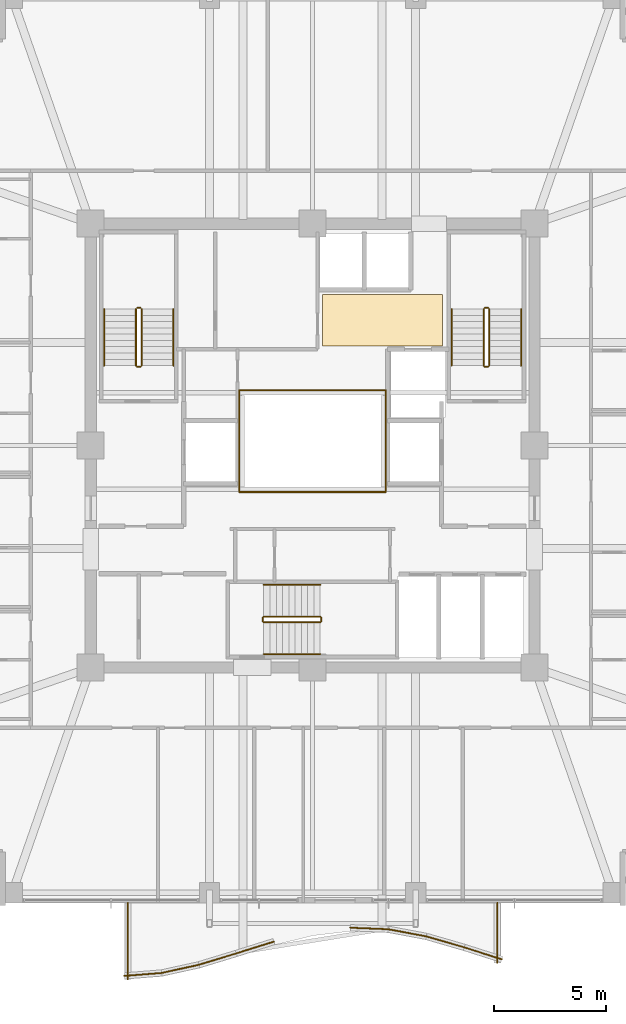
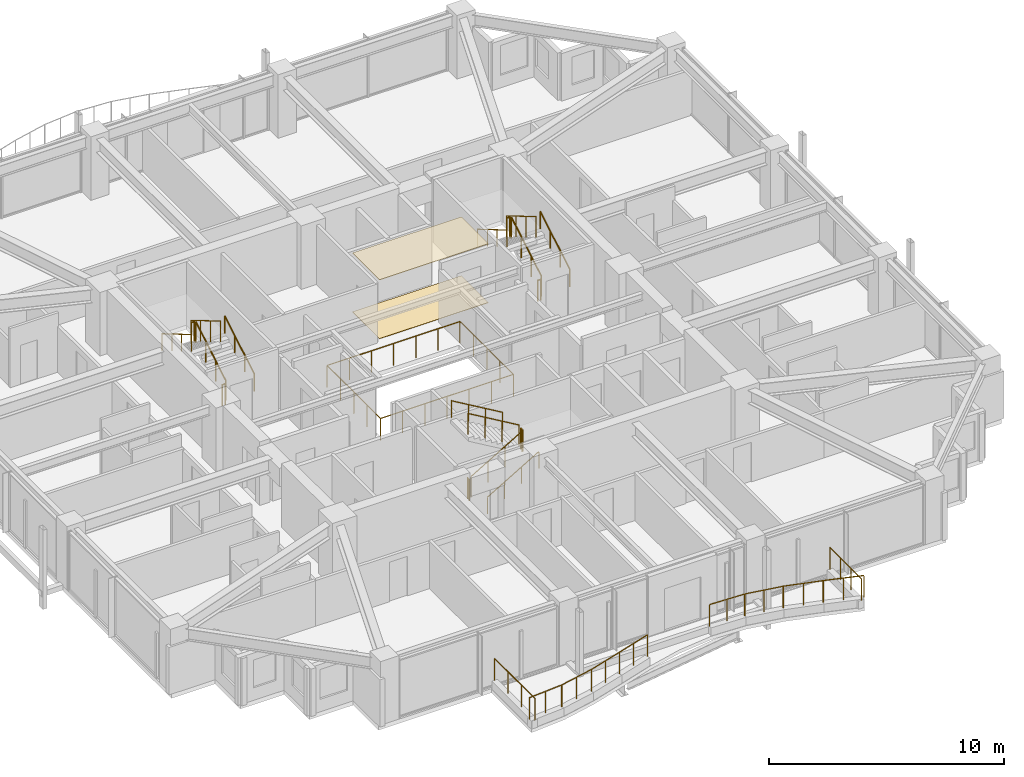
# One storey, part 36 of 37: 32 railings, 2 coverings.
"""IFC4 building model written with IfcOpenShell, lengths in metres."""

from ifc_helpers import new_model, si_unit, direction, frame, origin, origin_2d, place, context, subcontext, project, spatial, polyline, circle, outline, extrude, material, layer, layer_set, type_object, element, save


model = new_model("IFC4")

# Units and contexts
model_context = context("Model", 3, precision=1e-05, world=origin(), true_north=direction((0.0, 1.0)))
body_context = subcontext(model_context, "Body", "Model", "MODEL_VIEW")
ifc_project = project(units=[si_unit("LENGTHUNIT", "METRE"), si_unit("AREAUNIT", "SQUARE_METRE"), si_unit("VOLUMEUNIT", "CUBIC_METRE"), si_unit("PLANEANGLEUNIT", "RADIAN"), si_unit("MASSUNIT", "GRAM", prefix="KILO")], contexts=[model_context])

# Site, building, storey
site_placement = place(None, origin())
site = spatial("IfcSite", under=ifc_project, at=site_placement, CompositionType="ELEMENT")
building_placement = place(site_placement, origin())
building = spatial("IfcBuilding", under=site, at=building_placement, Name="Kolvaren Belvedere", CompositionType="ELEMENT")
storey_placement = place(building_placement, frame((0.0, 0.0, 173.39990234375)))
storey = spatial("IfcBuildingStorey", under=building, at=storey_placement, Name="L50", CompositionType="ELEMENT", Elevation=173.39990234375)

# Coverings
ifc_material_1 = material(Name="Acoustic perforated gypsum board", Category="gypsum")
ifc_layer_1 = layer(ifc_material_1, 0.02490234375)
ifc_layer_set_1 = layer_set([ifc_layer_1], Name="Acoustic perforated gypsum board")
covering_type_1 = type_object("IfcCoveringType", Name="COV-CEIL-GYP", PredefinedType="CEILING", material=ifc_layer_set_1)
covering_1_placement = place(storey_placement, frame((0.0, 0.0, 3.05517578125)))
element("IfcCovering", 1, at=covering_1_placement, inside=storey, type_object=covering_type_1, Name="L50 Lift Lobby Acoustic Baffle Ceiling", PredefinedType="CEILING", context=body_context, shape_type="SweptSolid", body=[
    extrude(outline(polyline([(0.449951171875, 4.449951171875), (5.800048828125, 4.449951171875), (5.800048828125, 6.75), (0.449951171875, 6.75), (0.449951171875, 4.449951171875)])), origin(), (0.0, 0.0, 1.0), 0.02490234375),
])
ifc_material_2 = material(Name="Engineered Pacific white oak", Category="timber")
ifc_layer_2 = layer(ifc_material_2, 0.02001953125)
ifc_layer_set_2 = layer_set([ifc_layer_2], Name="Engineered Pacific white oak")
covering_type_2 = type_object("IfcCoveringType", Name="COV-FLR-OAK", PredefinedType="FLOORING", material=ifc_layer_set_2)
covering_2_placement = place(storey_placement, origin())
element("IfcCovering", 2, at=covering_2_placement, inside=storey, type_object=covering_type_2, Name="L50 Lift Lobby Finish Flooring", PredefinedType="FLOORING", context=body_context, shape_type="SweptSolid", body=[
    extrude(outline(polyline([(0.449951171875, 4.449951171875), (5.800048828125, 4.449951171875), (5.800048828125, 6.75), (0.449951171875, 6.75), (0.449951171875, 4.449951171875)])), origin(), (0.0, 0.0, 1.0), 0.02001953125),
])

# Railings
ifc_material_3 = material(Name="Laminated glass & stainless-steel cap rail", Category="steel")
railing_type_1 = type_object("IfcRailingType", Name="RL-ATR-1150", PredefinedType="BALUSTRADE", material=ifc_material_3)
for number, where, name in (
    (3, (-3.27001953125, 2.469970703125, 0.0), "L50 Atrium North Glass Balustrade"),
    (4, (-3.27001953125, -2.070068359375, 0.0), "L50 Atrium South Glass Balustrade"),
):
    element("IfcRailing", number, at=place(storey_placement, frame(where)), inside=storey, type_object=railing_type_1, Name=name, PredefinedType="BALUSTRADE", context=body_context, shape_type="SweptSolid", body=[
        extrude(circle(Radius=0.02392578125, at=origin_2d()), frame((0.0, 0.0, 1.1259765625), z_axis=(1.0, 0.0, 0.0), x_axis=(0.0, 1.0, 0.0)), (0.0, 0.0, 1.0), 6.5400390625),
        extrude(circle(Radius=0.02099609375, at=origin_2d()), origin(), (0.0, 0.0, 1.0), 1.101806640625),
        extrude(circle(Radius=0.02099609375, at=origin_2d()), frame((1.090087890625, 0.0, 0.0)), (0.0, 0.0, 1.0), 1.101806640625),
        extrude(circle(Radius=0.02099609375, at=origin_2d()), frame((2.179931640625, 0.0, 0.0)), (0.0, 0.0, 1.0), 1.101806640625),
        extrude(circle(Radius=0.02099609375, at=origin_2d()), frame((3.27001953125, 0.0, 0.0)), (0.0, 0.0, 1.0), 1.101806640625),
        extrude(circle(Radius=0.02099609375, at=origin_2d()), frame((4.360107421875, 0.0, 0.0)), (0.0, 0.0, 1.0), 1.101806640625),
        extrude(circle(Radius=0.02099609375, at=origin_2d()), frame((5.449951171875, 0.0, 0.0)), (0.0, 0.0, 1.0), 1.101806640625),
        extrude(circle(Radius=0.02099609375, at=origin_2d()), frame((6.5400390625, 0.0, 0.0)), (0.0, 0.0, 1.0), 1.101806640625),
    ])
for number, where, name in (
    (5, (-3.27001953125, -2.070068359375, 0.0), "L50 Atrium West Glass Balustrade"),
    (6, (3.27001953125, -2.070068359375, 0.0), "L50 Atrium East Glass Balustrade"),
):
    element("IfcRailing", number, at=place(storey_placement, frame(where)), inside=storey, type_object=railing_type_1, Name=name, PredefinedType="BALUSTRADE", context=body_context, shape_type="SweptSolid", body=[
        extrude(circle(Radius=0.02392578125, at=origin_2d()), frame((0.0, 0.0, 1.1259765625), z_axis=(0.0, 1.0, 0.0), x_axis=(-1.0, 0.0, 0.0)), (0.0, 0.0, 1.0), 4.5400390625),
        extrude(circle(Radius=0.02099609375, at=origin_2d()), origin(), (0.0, 0.0, 1.0), 1.101806640625),
        extrude(circle(Radius=0.02099609375, at=origin_2d()), frame((0.0, 1.135009765625, 0.0)), (0.0, 0.0, 1.0), 1.101806640625),
        extrude(circle(Radius=0.02099609375, at=origin_2d()), frame((0.0, 2.27001953125, 0.0)), (0.0, 0.0, 1.0), 1.101806640625),
        extrude(circle(Radius=0.02099609375, at=origin_2d()), frame((0.0, 3.405029296875, 0.0)), (0.0, 0.0, 1.0), 1.101806640625),
        extrude(circle(Radius=0.02099609375, at=origin_2d()), frame((0.0, 4.5400390625, 0.0)), (0.0, 0.0, 1.0), 1.101806640625),
    ])
ifc_material_4 = material(Name="Anodised pale-metal aluminium & laminated glass guard", Category="aluminium")
railing_type_2 = type_object("IfcRailingType", Name="RL-GUARD-1150", PredefinedType="GUARDRAIL", material=ifc_material_4)
railing_1_placement = place(storey_placement, frame((-8.41259765625, -23.660400390625, 0.380126953125)))
element("IfcRailing", 7, at=railing_1_placement, inside=storey, type_object=railing_type_2, Name="L50 Exterior Deck Safety Guard BAL-S-1", PredefinedType="GUARDRAIL", context=body_context, shape_type="SweptSolid", body=[
    extrude(circle(Radius=0.02392578125, at=origin_2d()), frame((0.0, 0.0, 1.1259765625), z_axis=(0.99685522818, 0.079244268248, 0.0), x_axis=(-0.079244268248, 0.99685522818, 0.0)), (0.0, 0.0, 1.0), 1.685302734375),
    extrude(circle(Radius=0.02099609375, at=origin_2d()), origin(), (0.0, 0.0, 1.0), 1.101806640625),
    extrude(circle(Radius=0.02099609375, at=origin_2d()), frame((0.83984375, 0.06689453125, 0.0)), (0.0, 0.0, 1.0), 1.101806640625),
    extrude(circle(Radius=0.02099609375, at=origin_2d()), frame((1.679931640625, 0.133544921875, 0.0)), (0.0, 0.0, 1.0), 1.101806640625),
])
railing_2_placement = place(storey_placement, frame((-6.754150390625, -23.530029296875, 0.380126953125)))
element("IfcRailing", 8, at=railing_2_placement, inside=storey, type_object=railing_type_2, Name="L50 Exterior Deck Safety Guard BAL-S-2", PredefinedType="GUARDRAIL", context=body_context, shape_type="SweptSolid", body=[
    extrude(circle(Radius=0.02392578125, at=origin_2d()), frame((0.0, 0.0, 1.1259765625), z_axis=(0.976876857632, 0.213802724545, 0.0), x_axis=(-0.213802724545, 0.976876857632, 0.0)), (0.0, 0.0, 1.0), 1.7197265625),
    extrude(circle(Radius=0.02099609375, at=origin_2d()), origin(), (0.0, 0.0, 1.0), 1.101806640625),
    extrude(circle(Radius=0.02099609375, at=origin_2d()), frame((0.83984375, 0.183837890625, 0.0)), (0.0, 0.0, 1.0), 1.101806640625),
    extrude(circle(Radius=0.02099609375, at=origin_2d()), frame((1.679931640625, 0.36767578125, 0.0)), (0.0, 0.0, 1.0), 1.101806640625),
])
railing_3_placement = place(storey_placement, frame((-5.086669921875, -23.16552734375, 0.380126953125)))
element("IfcRailing", 9, at=railing_3_placement, inside=storey, type_object=railing_type_2, Name="L50 Exterior Deck Safety Guard BAL-S-3", PredefinedType="GUARDRAIL", context=body_context, shape_type="SweptSolid", body=[
    extrude(circle(Radius=0.02392578125, at=origin_2d()), frame((0.0, 0.0, 1.1259765625), z_axis=(0.956771481005, 0.290840734999, 0.0), x_axis=(-0.290840734999, 0.956771481005, 0.0)), (0.0, 0.0, 1.0), 1.756103515625),
    extrude(circle(Radius=0.02099609375, at=origin_2d()), origin(), (0.0, 0.0, 1.0), 1.101806640625),
    extrude(circle(Radius=0.02099609375, at=origin_2d()), frame((0.840087890625, 0.25537109375, 0.0)), (0.0, 0.0, 1.0), 1.101806640625),
    extrude(circle(Radius=0.02099609375, at=origin_2d()), frame((1.68017578125, 0.5107421875, 0.0)), (0.0, 0.0, 1.0), 1.101806640625),
])
railing_4_placement = place(storey_placement, frame((-3.407958984375, -22.6552734375, 0.380126953125)))
element("IfcRailing", 10, at=railing_4_placement, inside=storey, type_object=railing_type_2, Name="L50 Exterior Deck Safety Guard BAL-S-4", PredefinedType="GUARDRAIL", context=body_context, shape_type="SweptSolid", body=[
    extrude(circle(Radius=0.02392578125, at=origin_2d()), frame((0.0, 0.0, 1.1259765625), z_axis=(0.954069594374, 0.299585061529, 0.0), x_axis=(-0.299585061529, 0.954069594374, 0.0)), (0.0, 0.0, 1.0), 1.760986328125),
    extrude(circle(Radius=0.02099609375, at=origin_2d()), origin(), (0.0, 0.0, 1.0), 1.101806640625),
    extrude(circle(Radius=0.02099609375, at=origin_2d()), frame((0.840087890625, 0.263671875, 0.0)), (0.0, 0.0, 1.0), 1.101806640625),
    extrude(circle(Radius=0.02099609375, at=origin_2d()), frame((1.68017578125, 0.527587890625, 0.0)), (0.0, 0.0, 1.0), 1.101806640625),
])
railing_5_placement = place(storey_placement, frame((1.686279296875, -21.508544921875, 0.380126953125)))
element("IfcRailing", 11, at=railing_5_placement, inside=storey, type_object=railing_type_2, Name="L50 Exterior Deck Safety Guard BAL-S-7", PredefinedType="GUARDRAIL", context=body_context, shape_type="SweptSolid", body=[
    extrude(circle(Radius=0.02392578125, at=origin_2d()), frame((0.0, 0.0, 1.1259765625), z_axis=(0.999196778482, -0.040072407855, 0.0), x_axis=(0.040072407855, 0.999196778482, 0.0)), (0.0, 0.0, 1.0), 1.681640625),
    extrude(circle(Radius=0.02099609375, at=origin_2d()), origin(), (0.0, 0.0, 1.0), 1.101806640625),
    extrude(circle(Radius=0.02099609375, at=origin_2d()), frame((0.840087890625, -0.03369140625, 0.0)), (0.0, 0.0, 1.0), 1.101806640625),
    extrude(circle(Radius=0.02099609375, at=origin_2d()), frame((1.68017578125, -0.0673828125, 0.0)), (0.0, 0.0, 1.0), 1.101806640625),
])
railing_6_placement = place(storey_placement, frame((3.3896484375, -21.57861328125, 0.380126953125)))
element("IfcRailing", 12, at=railing_6_placement, inside=storey, type_object=railing_type_2, Name="L50 Exterior Deck Safety Guard BAL-S-8", PredefinedType="GUARDRAIL", context=body_context, shape_type="SweptSolid", body=[
    extrude(circle(Radius=0.02392578125, at=origin_2d()), frame((0.0, 0.0, 1.1259765625), z_axis=(0.982799348901, -0.18467658162, 0.0), x_axis=(0.18467658162, 0.982799348901, 0.0)), (0.0, 0.0, 1.0), 1.709228515625),
    extrude(circle(Radius=0.02099609375, at=origin_2d()), origin(), (0.0, 0.0, 1.0), 1.101806640625),
    extrude(circle(Radius=0.02099609375, at=origin_2d()), frame((0.83984375, -0.15771484375, 0.0)), (0.0, 0.0, 1.0), 1.101806640625),
    extrude(circle(Radius=0.02099609375, at=origin_2d()), frame((1.679931640625, -0.315673828125, 0.0)), (0.0, 0.0, 1.0), 1.101806640625),
])
railing_7_placement = place(storey_placement, frame((5.08447265625, -21.89794921875, 0.380126953125)))
element("IfcRailing", 13, at=railing_7_placement, inside=storey, type_object=railing_type_2, Name="L50 Exterior Deck Safety Guard BAL-S-9", PredefinedType="GUARDRAIL", context=body_context, shape_type="SweptSolid", body=[
    extrude(circle(Radius=0.02392578125, at=origin_2d()), frame((0.0, 0.0, 1.1259765625), z_axis=(0.960633903819, -0.277817391164, 0.0), x_axis=(0.277817391164, 0.960633903819, 0.0)), (0.0, 0.0, 1.0), 1.748779296875),
    extrude(circle(Radius=0.02099609375, at=origin_2d()), origin(), (0.0, 0.0, 1.0), 1.101806640625),
    extrude(circle(Radius=0.02099609375, at=origin_2d()), frame((0.83984375, -0.242919921875, 0.0)), (0.0, 0.0, 1.0), 1.101806640625),
    extrude(circle(Radius=0.02099609375, at=origin_2d()), frame((1.679931640625, -0.48583984375, 0.0)), (0.0, 0.0, 1.0), 1.101806640625),
])
railing_8_placement = place(storey_placement, frame((6.7685546875, -22.38525390625, 0.380126953125)))
element("IfcRailing", 14, at=railing_8_placement, inside=storey, type_object=railing_type_2, Name="L50 Exterior Deck Safety Guard BAL-S-10", PredefinedType="GUARDRAIL", context=body_context, shape_type="SweptSolid", body=[
    extrude(circle(Radius=0.02392578125, at=origin_2d()), frame((0.0, 0.0, 1.1259765625), z_axis=(0.952661770826, -0.304032153573, 0.0), x_axis=(0.304032153573, 0.952661770826, 0.0)), (0.0, 0.0, 1.0), 1.763427734375),
    extrude(circle(Radius=0.02099609375, at=origin_2d()), origin(), (0.0, 0.0, 1.0), 1.101806640625),
    extrude(circle(Radius=0.02099609375, at=origin_2d()), frame((0.83984375, -0.26806640625, 0.0)), (0.0, 0.0, 1.0), 1.101806640625),
    extrude(circle(Radius=0.02099609375, at=origin_2d()), frame((1.679931640625, -0.5361328125, 0.0)), (0.0, 0.0, 1.0), 1.101806640625),
])
railing_9_placement = place(storey_placement, frame((8.239990234375, -23.07373046875, 0.380126953125)))
element("IfcRailing", 15, at=railing_9_placement, inside=storey, type_object=railing_type_2, Name="L50 Exterior Deck Safety Guard BAL-S-11", PredefinedType="GUARDRAIL", context=body_context, shape_type="SweptSolid", body=[
    extrude(circle(Radius=0.02392578125, at=origin_2d()), frame((0.0, 0.0, 1.1259765625), z_axis=(0.0, 1.0, 0.0), x_axis=(-1.0, 0.0, 0.0)), (0.0, 0.0, 1.0), 2.673828125),
    extrude(circle(Radius=0.02099609375, at=origin_2d()), origin(), (0.0, 0.0, 1.0), 1.101806640625),
    extrude(circle(Radius=0.02099609375, at=origin_2d()), frame((0.0, 0.891357421875, 0.0)), (0.0, 0.0, 1.0), 1.101806640625),
    extrude(circle(Radius=0.02099609375, at=origin_2d()), frame((0.0, 1.782470703125, 0.0)), (0.0, 0.0, 1.0), 1.101806640625),
    extrude(circle(Radius=0.02099609375, at=origin_2d()), frame((0.0, 2.673828125, 0.0)), (0.0, 0.0, 1.0), 1.101806640625),
])
railing_10_placement = place(storey_placement, frame((-8.239990234375, -20.39990234375, 0.380126953125)))
element("IfcRailing", 16, at=railing_10_placement, inside=storey, type_object=railing_type_2, Name="L50 Exterior Deck Safety Guard BAL-S-22", PredefinedType="GUARDRAIL", context=body_context, shape_type="SweptSolid", body=[
    extrude(circle(Radius=0.02392578125, at=origin_2d()), frame((0.0, 0.0, 1.1259765625), z_axis=(0.0, -1.0, 0.0), x_axis=(1.0, 0.0, 0.0)), (0.0, 0.0, 1.0), 3.420166015625),
    extrude(circle(Radius=0.02099609375, at=origin_2d()), origin(), (0.0, 0.0, 1.0), 1.101806640625),
    extrude(circle(Radius=0.02099609375, at=origin_2d()), frame((0.0, -1.14013671875, 0.0)), (0.0, 0.0, 1.0), 1.101806640625),
    extrude(circle(Radius=0.02099609375, at=origin_2d()), frame((0.0, -2.280029296875, 0.0)), (0.0, 0.0, 1.0), 1.101806640625),
    extrude(circle(Radius=0.02099609375, at=origin_2d()), frame((0.0, -3.420166015625, 0.0)), (0.0, 0.0, 1.0), 1.101806640625),
])
ifc_material_5 = material(Name="Brushed stainless-steel handrail", Category="steel")
railing_type_3 = type_object("IfcRailingType", Name="RL-HANDRAIL-920", PredefinedType="HANDRAIL", material=ifc_material_5)
railing_11_placement = place(storey_placement, frame((-6.2099609375, 3.570068359375, 0.1650390625)))
element("IfcRailing", 17, at=railing_11_placement, inside=storey, type_object=railing_type_3, Name="L50 ST-1 stair handrail 1", PredefinedType="HANDRAIL", context=body_context, shape_type="SweptSolid", body=[
    extrude(circle(Radius=0.02392578125, at=origin_2d()), frame((0.0, 0.0, 0.8759765625), z_axis=(0.0, 0.86152411907, 0.507716645641), x_axis=(-1.0, 0.0, 0.0)), (0.0, 0.0, 1.0), 2.925048828125),
    extrude(circle(Radius=0.02099609375, at=origin_2d()), origin(), (0.0, 0.0, 1.0), 0.851806640625),
    extrude(circle(Radius=0.02099609375, at=origin_2d()), frame((0.0, 0.840087890625, 0.4951171875)), (0.0, 0.0, 1.0), 0.851806640625),
    extrude(circle(Radius=0.02099609375, at=origin_2d()), frame((0.0, 1.679931640625, 0.989990234375)), (0.0, 0.0, 1.0), 0.851806640625),
    extrude(circle(Radius=0.02099609375, at=origin_2d()), frame((0.0, 2.52001953125, 1.485107421875)), (0.0, 0.0, 1.0), 0.851806640625),
])
railing_12_placement = place(storey_placement, frame((-9.300048828125, 6.090087890625, 1.815185546875)))
element("IfcRailing", 18, at=railing_12_placement, inside=storey, type_object=railing_type_3, Name="L50 ST-1 stair handrail 2", PredefinedType="HANDRAIL", context=body_context, shape_type="SweptSolid", body=[
    extrude(circle(Radius=0.02392578125, at=origin_2d()), frame((0.0, 0.0, 0.8759765625), z_axis=(0.0, -0.861560626758, 0.507654692109), x_axis=(1.0, 0.0, 0.0)), (0.0, 0.0, 1.0), 2.925048828125),
    extrude(circle(Radius=0.02099609375, at=origin_2d()), origin(), (0.0, 0.0, 1.0), 0.851806640625),
    extrude(circle(Radius=0.02099609375, at=origin_2d()), frame((0.0, -0.840087890625, 0.494873046875)), (0.0, 0.0, 1.0), 0.851806640625),
    extrude(circle(Radius=0.02099609375, at=origin_2d()), frame((0.0, -1.679931640625, 0.989990234375)), (0.0, 0.0, 1.0), 0.851806640625),
    extrude(circle(Radius=0.02099609375, at=origin_2d()), frame((0.0, -2.52001953125, 1.48486328125)), (0.0, 0.0, 1.0), 0.851806640625),
])
railing_13_placement = place(storey_placement, frame((9.300048828125, 3.570068359375, 0.1650390625)))
element("IfcRailing", 19, at=railing_13_placement, inside=storey, type_object=railing_type_3, Name="L50 ST-2 stair handrail 1", PredefinedType="HANDRAIL", context=body_context, shape_type="SweptSolid", body=[
    extrude(circle(Radius=0.02392578125, at=origin_2d()), frame((0.0, 0.0, 0.8759765625), z_axis=(0.0, 0.86152411907, 0.507716645641), x_axis=(-1.0, 0.0, 0.0)), (0.0, 0.0, 1.0), 2.925048828125),
    extrude(circle(Radius=0.02099609375, at=origin_2d()), origin(), (0.0, 0.0, 1.0), 0.851806640625),
    extrude(circle(Radius=0.02099609375, at=origin_2d()), frame((0.0, 0.840087890625, 0.4951171875)), (0.0, 0.0, 1.0), 0.851806640625),
    extrude(circle(Radius=0.02099609375, at=origin_2d()), frame((0.0, 1.679931640625, 0.989990234375)), (0.0, 0.0, 1.0), 0.851806640625),
    extrude(circle(Radius=0.02099609375, at=origin_2d()), frame((0.0, 2.52001953125, 1.485107421875)), (0.0, 0.0, 1.0), 0.851806640625),
])
railing_14_placement = place(storey_placement, frame((6.2099609375, 6.090087890625, 1.815185546875)))
element("IfcRailing", 20, at=railing_14_placement, inside=storey, type_object=railing_type_3, Name="L50 ST-2 stair handrail 2", PredefinedType="HANDRAIL", context=body_context, shape_type="SweptSolid", body=[
    extrude(circle(Radius=0.02392578125, at=origin_2d()), frame((0.0, 0.0, 0.8759765625), z_axis=(0.0, -0.861560626758, 0.507654692109), x_axis=(1.0, 0.0, 0.0)), (0.0, 0.0, 1.0), 2.925048828125),
    extrude(circle(Radius=0.02099609375, at=origin_2d()), origin(), (0.0, 0.0, 1.0), 0.851806640625),
    extrude(circle(Radius=0.02099609375, at=origin_2d()), frame((0.0, -0.840087890625, 0.494873046875)), (0.0, 0.0, 1.0), 0.851806640625),
    extrude(circle(Radius=0.02099609375, at=origin_2d()), frame((0.0, -1.679931640625, 0.989990234375)), (0.0, 0.0, 1.0), 0.851806640625),
    extrude(circle(Radius=0.02099609375, at=origin_2d()), frame((0.0, -2.52001953125, 1.48486328125)), (0.0, 0.0, 1.0), 0.851806640625),
])
railing_15_placement = place(storey_placement, frame((-2.179931640625, -9.300048828125, 0.1650390625)))
element("IfcRailing", 21, at=railing_15_placement, inside=storey, type_object=railing_type_3, Name="L50 ST-3 stair handrail 1", PredefinedType="HANDRAIL", context=body_context, shape_type="SweptSolid", body=[
    extrude(circle(Radius=0.02392578125, at=origin_2d()), frame((0.0, 0.0, 0.8759765625), z_axis=(0.86152411907, 0.0, 0.507716645641), x_axis=(0.0, 1.0, 0.0)), (0.0, 0.0, 1.0), 2.925048828125),
    extrude(circle(Radius=0.02099609375, at=origin_2d()), origin(), (0.0, 0.0, 1.0), 0.851806640625),
    extrude(circle(Radius=0.02099609375, at=origin_2d()), frame((0.840087890625, 0.0, 0.4951171875)), (0.0, 0.0, 1.0), 0.851806640625),
    extrude(circle(Radius=0.02099609375, at=origin_2d()), frame((1.679931640625, 0.0, 0.989990234375)), (0.0, 0.0, 1.0), 0.851806640625),
    extrude(circle(Radius=0.02099609375, at=origin_2d()), frame((2.52001953125, 0.0, 1.485107421875)), (0.0, 0.0, 1.0), 0.851806640625),
])
railing_16_placement = place(storey_placement, frame((0.340087890625, -6.2099609375, 1.815185546875)))
element("IfcRailing", 22, at=railing_16_placement, inside=storey, type_object=railing_type_3, Name="L50 ST-3 stair handrail 2", PredefinedType="HANDRAIL", context=body_context, shape_type="SweptSolid", body=[
    extrude(circle(Radius=0.02392578125, at=origin_2d()), frame((0.0, 0.0, 0.8759765625), z_axis=(-0.861560626758, 0.0, 0.507654692109), x_axis=(0.0, -1.0, 0.0)), (0.0, 0.0, 1.0), 2.925048828125),
    extrude(circle(Radius=0.02099609375, at=origin_2d()), origin(), (0.0, 0.0, 1.0), 0.851806640625),
    extrude(circle(Radius=0.02099609375, at=origin_2d()), frame((-0.840087890625, 0.0, 0.494873046875)), (0.0, 0.0, 1.0), 0.851806640625),
    extrude(circle(Radius=0.02099609375, at=origin_2d()), frame((-1.679931640625, 0.0, 0.989990234375)), (0.0, 0.0, 1.0), 0.851806640625),
    extrude(circle(Radius=0.02099609375, at=origin_2d()), frame((-2.52001953125, 0.0, 1.48486328125)), (0.0, 0.0, 1.0), 0.851806640625),
])
ifc_material_6 = material(Name="Painted tubular steel stair guard", Category="steel")
railing_type_4 = type_object("IfcRailingType", Name="RL-STGUARD-1100", PredefinedType="GUARDRAIL", material=ifc_material_6)
railing_17_placement = place(storey_placement, frame((-7.6298828125, 3.570068359375, 0.1650390625)))
element("IfcRailing", 23, at=railing_17_placement, inside=storey, type_object=railing_type_4, Name="L50 ST-1 stair guard 1", PredefinedType="GUARDRAIL", context=body_context, shape_type="SweptSolid", body=[
    extrude(circle(Radius=0.02392578125, at=origin_2d()), frame((0.0, 0.0, 1.076171875), z_axis=(0.0, 0.86152411907, 0.507716645641), x_axis=(-1.0, 0.0, 0.0)), (0.0, 0.0, 1.0), 2.925048828125),
    extrude(circle(Radius=0.02099609375, at=origin_2d()), origin(), (0.0, 0.0, 1.0), 1.052001953125),
    extrude(circle(Radius=0.02099609375, at=origin_2d()), frame((0.0, 0.840087890625, 0.4951171875)), (0.0, 0.0, 1.0), 1.052001953125),
    extrude(circle(Radius=0.02099609375, at=origin_2d()), frame((0.0, 1.679931640625, 0.989990234375)), (0.0, 0.0, 1.0), 1.052001953125),
    extrude(circle(Radius=0.02099609375, at=origin_2d()), frame((0.0, 2.52001953125, 1.485107421875)), (0.0, 0.0, 1.0), 1.052001953125),
])
railing_18_placement = place(storey_placement, frame((-7.679931640625, 6.139892578125, 1.650146484375)))
element("IfcRailing", 24, at=railing_18_placement, inside=storey, type_object=railing_type_4, Name="L50 ST-1 stair guard 2", PredefinedType="GUARDRAIL", context=body_context, shape_type="SweptSolid", body=[
    extrude(circle(Radius=0.02392578125, at=origin_2d()), frame((0.0, 0.0, 1.076171875), z_axis=(-1.0, 0.0, 0.0), x_axis=(0.0, -1.0, 0.0)), (0.0, 0.0, 1.0), 0.150146484375),
    extrude(circle(Radius=0.02099609375, at=origin_2d()), origin(), (0.0, 0.0, 1.0), 1.052001953125),
    extrude(circle(Radius=0.02099609375, at=origin_2d()), frame((-0.150146484375, 0.0, 0.0)), (0.0, 0.0, 1.0), 1.052001953125),
])
railing_19_placement = place(storey_placement, frame((-7.8798828125, 6.090087890625, 1.815185546875)))
element("IfcRailing", 25, at=railing_19_placement, inside=storey, type_object=railing_type_4, Name="L50 ST-1 stair guard 3", PredefinedType="GUARDRAIL", context=body_context, shape_type="SweptSolid", body=[
    extrude(circle(Radius=0.02392578125, at=origin_2d()), frame((0.0, 0.0, 1.076171875), z_axis=(0.0, -0.861560626758, 0.507654692109), x_axis=(1.0, 0.0, 0.0)), (0.0, 0.0, 1.0), 2.925048828125),
    extrude(circle(Radius=0.02099609375, at=origin_2d()), origin(), (0.0, 0.0, 1.0), 1.052001953125),
    extrude(circle(Radius=0.02099609375, at=origin_2d()), frame((0.0, -0.840087890625, 0.494873046875)), (0.0, 0.0, 1.0), 1.052001953125),
    extrude(circle(Radius=0.02099609375, at=origin_2d()), frame((0.0, -1.679931640625, 0.989990234375)), (0.0, 0.0, 1.0), 1.052001953125),
    extrude(circle(Radius=0.02099609375, at=origin_2d()), frame((0.0, -2.52001953125, 1.48486328125)), (0.0, 0.0, 1.0), 1.052001953125),
])
railing_20_placement = place(storey_placement, frame((-7.679931640625, 3.52001953125, 0.0)))
element("IfcRailing", 26, at=railing_20_placement, inside=storey, type_object=railing_type_4, Name="L50 ST-1 stair guard 4", PredefinedType="GUARDRAIL", context=body_context, shape_type="SweptSolid", body=[
    extrude(circle(Radius=0.02392578125, at=origin_2d()), frame((0.0, 0.0, 1.076171875), z_axis=(-1.0, 0.0, 0.0), x_axis=(0.0, -1.0, 0.0)), (0.0, 0.0, 1.0), 0.150146484375),
    extrude(circle(Radius=0.02099609375, at=origin_2d()), origin(), (0.0, 0.0, 1.0), 1.052001953125),
    extrude(circle(Radius=0.02099609375, at=origin_2d()), frame((-0.150146484375, 0.0, 0.0)), (0.0, 0.0, 1.0), 1.052001953125),
])
railing_21_placement = place(storey_placement, frame((7.8798828125, 3.570068359375, 0.1650390625)))
element("IfcRailing", 27, at=railing_21_placement, inside=storey, type_object=railing_type_4, Name="L50 ST-2 stair guard 1", PredefinedType="GUARDRAIL", context=body_context, shape_type="SweptSolid", body=[
    extrude(circle(Radius=0.02392578125, at=origin_2d()), frame((0.0, 0.0, 1.076171875), z_axis=(0.0, 0.86152411907, 0.507716645641), x_axis=(-1.0, 0.0, 0.0)), (0.0, 0.0, 1.0), 2.925048828125),
    extrude(circle(Radius=0.02099609375, at=origin_2d()), origin(), (0.0, 0.0, 1.0), 1.052001953125),
    extrude(circle(Radius=0.02099609375, at=origin_2d()), frame((0.0, 0.840087890625, 0.4951171875)), (0.0, 0.0, 1.0), 1.052001953125),
    extrude(circle(Radius=0.02099609375, at=origin_2d()), frame((0.0, 1.679931640625, 0.989990234375)), (0.0, 0.0, 1.0), 1.052001953125),
    extrude(circle(Radius=0.02099609375, at=origin_2d()), frame((0.0, 2.52001953125, 1.485107421875)), (0.0, 0.0, 1.0), 1.052001953125),
])
railing_22_placement = place(storey_placement, frame((7.830078125, 6.139892578125, 1.650146484375)))
element("IfcRailing", 28, at=railing_22_placement, inside=storey, type_object=railing_type_4, Name="L50 ST-2 stair guard 2", PredefinedType="GUARDRAIL", context=body_context, shape_type="SweptSolid", body=[
    extrude(circle(Radius=0.02392578125, at=origin_2d()), frame((0.0, 0.0, 1.076171875), z_axis=(-1.0, 0.0, 0.0), x_axis=(0.0, -1.0, 0.0)), (0.0, 0.0, 1.0), 0.150146484375),
    extrude(circle(Radius=0.02099609375, at=origin_2d()), origin(), (0.0, 0.0, 1.0), 1.052001953125),
    extrude(circle(Radius=0.02099609375, at=origin_2d()), frame((-0.150146484375, 0.0, 0.0)), (0.0, 0.0, 1.0), 1.052001953125),
])
railing_23_placement = place(storey_placement, frame((7.6298828125, 6.090087890625, 1.815185546875)))
element("IfcRailing", 29, at=railing_23_placement, inside=storey, type_object=railing_type_4, Name="L50 ST-2 stair guard 3", PredefinedType="GUARDRAIL", context=body_context, shape_type="SweptSolid", body=[
    extrude(circle(Radius=0.02392578125, at=origin_2d()), frame((0.0, 0.0, 1.076171875), z_axis=(0.0, -0.861560626758, 0.507654692109), x_axis=(1.0, 0.0, 0.0)), (0.0, 0.0, 1.0), 2.925048828125),
    extrude(circle(Radius=0.02099609375, at=origin_2d()), origin(), (0.0, 0.0, 1.0), 1.052001953125),
    extrude(circle(Radius=0.02099609375, at=origin_2d()), frame((0.0, -0.840087890625, 0.494873046875)), (0.0, 0.0, 1.0), 1.052001953125),
    extrude(circle(Radius=0.02099609375, at=origin_2d()), frame((0.0, -1.679931640625, 0.989990234375)), (0.0, 0.0, 1.0), 1.052001953125),
    extrude(circle(Radius=0.02099609375, at=origin_2d()), frame((0.0, -2.52001953125, 1.48486328125)), (0.0, 0.0, 1.0), 1.052001953125),
])
railing_24_placement = place(storey_placement, frame((7.830078125, 3.52001953125, 0.0)))
element("IfcRailing", 30, at=railing_24_placement, inside=storey, type_object=railing_type_4, Name="L50 ST-2 stair guard 4", PredefinedType="GUARDRAIL", context=body_context, shape_type="SweptSolid", body=[
    extrude(circle(Radius=0.02392578125, at=origin_2d()), frame((0.0, 0.0, 1.076171875), z_axis=(-1.0, 0.0, 0.0), x_axis=(0.0, -1.0, 0.0)), (0.0, 0.0, 1.0), 0.150146484375),
    extrude(circle(Radius=0.02099609375, at=origin_2d()), origin(), (0.0, 0.0, 1.0), 1.052001953125),
    extrude(circle(Radius=0.02099609375, at=origin_2d()), frame((-0.150146484375, 0.0, 0.0)), (0.0, 0.0, 1.0), 1.052001953125),
])
railing_25_placement = place(storey_placement, frame((-2.179931640625, -7.8798828125, 0.1650390625)))
element("IfcRailing", 31, at=railing_25_placement, inside=storey, type_object=railing_type_4, Name="L50 ST-3 stair guard 1", PredefinedType="GUARDRAIL", context=body_context, shape_type="SweptSolid", body=[
    extrude(circle(Radius=0.02392578125, at=origin_2d()), frame((0.0, 0.0, 1.076171875), z_axis=(0.86152411907, 0.0, 0.507716645641), x_axis=(0.0, 1.0, 0.0)), (0.0, 0.0, 1.0), 2.925048828125),
    extrude(circle(Radius=0.02099609375, at=origin_2d()), origin(), (0.0, 0.0, 1.0), 1.052001953125),
    extrude(circle(Radius=0.02099609375, at=origin_2d()), frame((0.840087890625, 0.0, 0.4951171875)), (0.0, 0.0, 1.0), 1.052001953125),
    extrude(circle(Radius=0.02099609375, at=origin_2d()), frame((1.679931640625, 0.0, 0.989990234375)), (0.0, 0.0, 1.0), 1.052001953125),
    extrude(circle(Radius=0.02099609375, at=origin_2d()), frame((2.52001953125, 0.0, 1.485107421875)), (0.0, 0.0, 1.0), 1.052001953125),
])
railing_26_placement = place(storey_placement, frame((0.389892578125, -7.830078125, 1.650146484375)))
element("IfcRailing", 32, at=railing_26_placement, inside=storey, type_object=railing_type_4, Name="L50 ST-3 stair guard 2", PredefinedType="GUARDRAIL", context=body_context, shape_type="SweptSolid", body=[
    extrude(circle(Radius=0.02392578125, at=origin_2d()), frame((0.0, 0.0, 1.076171875), z_axis=(0.0, 1.0, 0.0), x_axis=(-1.0, 0.0, 0.0)), (0.0, 0.0, 1.0), 0.150146484375),
    extrude(circle(Radius=0.02099609375, at=origin_2d()), origin(), (0.0, 0.0, 1.0), 1.052001953125),
    extrude(circle(Radius=0.02099609375, at=origin_2d()), frame((0.0, 0.150146484375, 0.0)), (0.0, 0.0, 1.0), 1.052001953125),
])
railing_27_placement = place(storey_placement, frame((0.340087890625, -7.6298828125, 1.815185546875)))
element("IfcRailing", 33, at=railing_27_placement, inside=storey, type_object=railing_type_4, Name="L50 ST-3 stair guard 3", PredefinedType="GUARDRAIL", context=body_context, shape_type="SweptSolid", body=[
    extrude(circle(Radius=0.02392578125, at=origin_2d()), frame((0.0, 0.0, 1.076171875), z_axis=(-0.861560626758, 0.0, 0.507654692109), x_axis=(0.0, -1.0, 0.0)), (0.0, 0.0, 1.0), 2.925048828125),
    extrude(circle(Radius=0.02099609375, at=origin_2d()), origin(), (0.0, 0.0, 1.0), 1.052001953125),
    extrude(circle(Radius=0.02099609375, at=origin_2d()), frame((-0.840087890625, 0.0, 0.494873046875)), (0.0, 0.0, 1.0), 1.052001953125),
    extrude(circle(Radius=0.02099609375, at=origin_2d()), frame((-1.679931640625, 0.0, 0.989990234375)), (0.0, 0.0, 1.0), 1.052001953125),
    extrude(circle(Radius=0.02099609375, at=origin_2d()), frame((-2.52001953125, 0.0, 1.48486328125)), (0.0, 0.0, 1.0), 1.052001953125),
])
railing_28_placement = place(storey_placement, frame((-2.22998046875, -7.830078125, 0.0)))
element("IfcRailing", 34, at=railing_28_placement, inside=storey, type_object=railing_type_4, Name="L50 ST-3 stair guard 4", PredefinedType="GUARDRAIL", context=body_context, shape_type="SweptSolid", body=[
    extrude(circle(Radius=0.02392578125, at=origin_2d()), frame((0.0, 0.0, 1.076171875), z_axis=(0.0, 1.0, 0.0), x_axis=(-1.0, 0.0, 0.0)), (0.0, 0.0, 1.0), 0.150146484375),
    extrude(circle(Radius=0.02099609375, at=origin_2d()), origin(), (0.0, 0.0, 1.0), 1.052001953125),
    extrude(circle(Radius=0.02099609375, at=origin_2d()), frame((0.0, 0.150146484375, 0.0)), (0.0, 0.0, 1.0), 1.052001953125),
])

save(model, "model.ifc")
